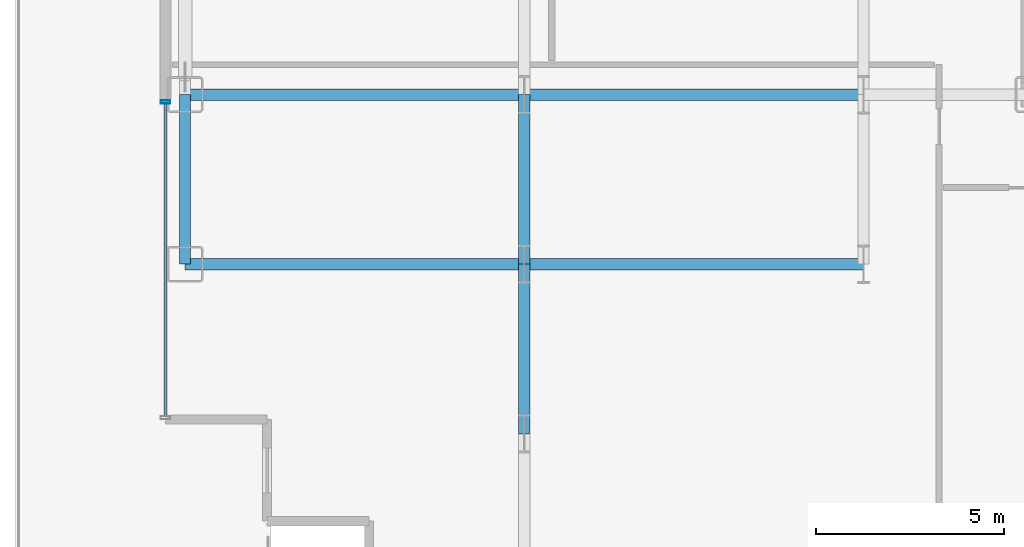
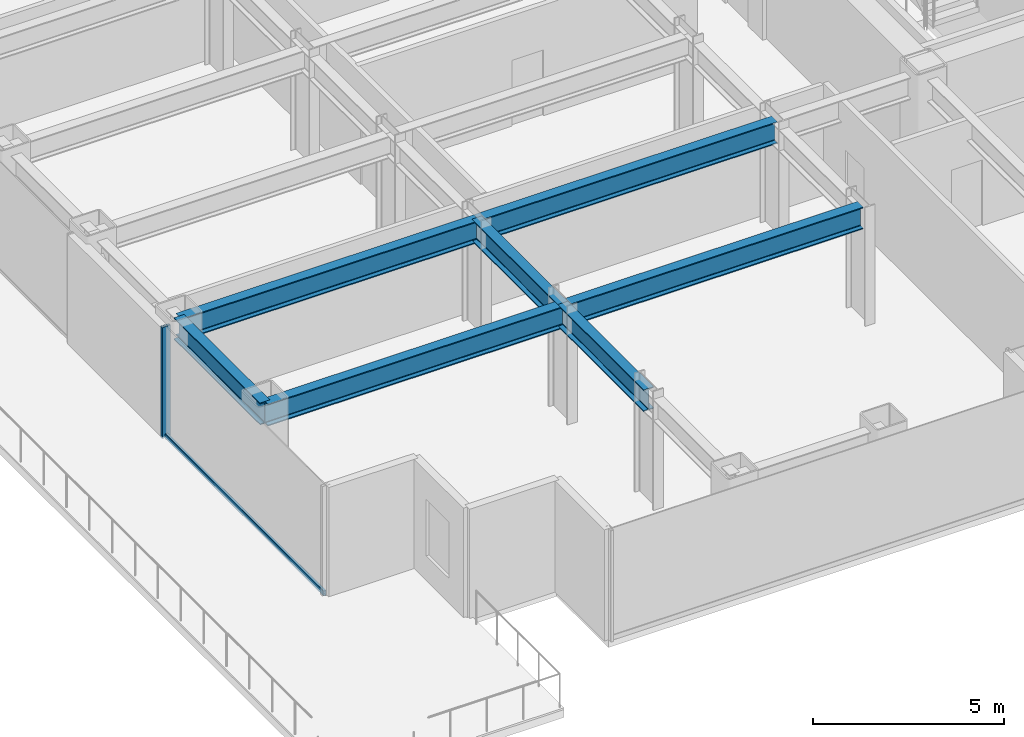
# One storey, part 3 of 30: 7 beams, 2 members, 1 element without a shape of its own.
"""IFC4 building model written with IfcOpenShell, lengths in metres."""

from ifc_helpers import new_model, si_unit, direction, frame, origin, origin_2d, place, context, subcontext, project, spatial, hollow_rectangle, i_section, extrude, source, transform, mapped, material, layer, layer_set, material_profile, profile_set, type_object, element, aggregate, save


model = new_model("IFC4")

# Units and contexts
model_context = context("Model", 3, precision=1e-05, world=origin(), true_north=direction((0.0, 1.0)))
body_context = subcontext(model_context, "Body", "Model", "MODEL_VIEW")
ifc_project = project(units=[si_unit("LENGTHUNIT", "METRE"), si_unit("AREAUNIT", "SQUARE_METRE"), si_unit("VOLUMEUNIT", "CUBIC_METRE"), si_unit("PLANEANGLEUNIT", "RADIAN"), si_unit("MASSUNIT", "GRAM", prefix="KILO")], contexts=[model_context])

# Site, building, storey
site_placement = place(None, origin())
site = spatial("IfcSite", under=ifc_project, at=site_placement, CompositionType="ELEMENT")
building_placement = place(site_placement, origin())
building = spatial("IfcBuilding", under=site, at=building_placement, Name="Nefas-Gora Pilgrimage Tower", CompositionType="ELEMENT")
storey_placement = place(building_placement, frame((0.0, 0.0, 33.0)))
storey = spatial("IfcBuildingStorey", under=building, at=storey_placement, Name="L06", CompositionType="ELEMENT", Elevation=33.0)

# Beams
ifc_material_1 = material(Name="Steel S355", Category="steel")
ifc_material_profile_1 = material_profile(ifc_material_1, i_section(OverallWidth=0.300048828125, OverallDepth=0.699951171875, WebThickness=0.01708984375, FlangeThickness=0.031982421875, FilletRadius=0.027099609375, at=origin_2d()), Name="HEB 700")
ifc_profile_set_1 = profile_set([ifc_material_profile_1], Name="Steel S355")
beam_type_1 = type_object("IfcBeamType", Name="BM-SPN-HEB600", PredefinedType="SPANDREL", material=ifc_profile_set_1)
shared_shape_1 = source(origin(), body_context, "Body", "SweptSolid", [
    extrude(i_section(OverallWidth=0.300048828125, OverallDepth=0.699951171875, WebThickness=0.01708984375, FlangeThickness=0.031982421875, FilletRadius=0.027099609375, at=origin_2d()), origin(), (0.0, 0.0, 1.0), 4.5),
])
beam_placement = place(storey_placement, frame((-33.75, -13.5, 3.199951171875), z_axis=(0.0, 1.0, 0.0), x_axis=(-1.0, 0.0, 0.0)))
element("IfcBeam", 1, at=beam_placement, inside=storey, type_object=beam_type_1, Name="L06 SP-01 beam", PredefinedType="SPANDREL", context=body_context, shape_type="MappedRepresentation", body=[
    mapped(shared_shape_1, transform((0.0, 0.0, 0.0), x_axis=(1.0, 0.0, 0.0), y_axis=(0.0, 1.0, 0.0), z_axis=(0.0, 0.0, 1.0), scale=1.0)),
])
ifc_material_profile_2 = material_profile(ifc_material_1, i_section(OverallWidth=0.300048828125, OverallDepth=0.699951171875, WebThickness=0.01708984375, FlangeThickness=0.031982421875, FilletRadius=0.027099609375, at=origin_2d()), Name="HEB 700")
ifc_profile_set_2 = profile_set([ifc_material_profile_2], Name="Steel S355")
beam_type_2 = type_object("IfcBeamType", Name="BM-GIR-HEB700", PredefinedType="BEAM", material=ifc_profile_set_2)
shared_shape_2 = source(origin(), body_context, "Body", "SweptSolid", [
    extrude(i_section(OverallWidth=0.300048828125, OverallDepth=0.699951171875, WebThickness=0.01708984375, FlangeThickness=0.031982421875, FilletRadius=0.027099609375, at=origin_2d()), origin(), (0.0, 0.0, 1.0), 9.0),
])
for number, where, z_axis, x_axis, name in (
    (2, (-33.75, -13.5, 3.199951171875), (1.0, 0.0, 0.0), (0.0, 1.0, 0.0), "L06 G-02 beam"),
    (3, (-33.75, -9.0, 3.199951171875), (1.0, 0.0, 0.0), (0.0, 1.0, 0.0), "L06 G-02 beam"),
    (4, (-24.75, -13.5, 3.199951171875), (1.0, 0.0, 0.0), (0.0, 1.0, 0.0), "L06 G-02 beam"),
    (5, (-24.75, -9.0, 3.199951171875), (1.0, 0.0, 0.0), (0.0, 1.0, 0.0), "L06 G-02 beam"),
):
    element("IfcBeam", number, at=place(storey_placement, frame(where, z_axis=z_axis, x_axis=x_axis)), inside=storey, type_object=beam_type_2, Name=name, PredefinedType="BEAM", context=body_context, shape_type="MappedRepresentation", body=[
        mapped(shared_shape_2, transform((0.0, 0.0, 0.0), x_axis=(1.0, 0.0, 0.0), y_axis=(0.0, 1.0, 0.0), z_axis=(0.0, 0.0, 1.0), scale=1.0)),
    ])
shared_shape_3 = source(origin(), body_context, "Body", "SweptSolid", [
    extrude(i_section(OverallWidth=0.300048828125, OverallDepth=0.699951171875, WebThickness=0.01708984375, FlangeThickness=0.031982421875, FilletRadius=0.027099609375, at=origin_2d()), origin(), (0.0, 0.0, 1.0), 4.5),
])
for number, where, z_axis, x_axis, name in (
    (6, (-24.75, -18.0, 3.199951171875), (0.0, 1.0, 0.0), (-1.0, 0.0, 0.0), "L06 G-02 beam"),
    (7, (-24.75, -13.5, 3.199951171875), (0.0, 1.0, 0.0), (-1.0, 0.0, 0.0), "L06 G-02 beam"),
):
    element("IfcBeam", number, at=place(storey_placement, frame(where, z_axis=z_axis, x_axis=x_axis)), inside=storey, type_object=beam_type_2, Name=name, PredefinedType="BEAM", context=body_context, shape_type="MappedRepresentation", body=[
        mapped(shared_shape_3, transform((0.0, 0.0, 0.0), x_axis=(1.0, 0.0, 0.0), y_axis=(0.0, 1.0, 0.0), z_axis=(0.0, 0.0, 1.0), scale=1.0)),
    ])

# Curtain wall, members
ifc_material_2 = material(Name="Dark ceramic-fritted solar-control aluminium-glass curtain wall", Category="aluminium")
ifc_layer = layer(ifc_material_2, 0.219970703125)
ifc_layer_set = layer_set([ifc_layer], Name="Dark ceramic-fritted solar-control aluminium-glass curtain wall")
curtain_wall_type = type_object("IfcCurtainWallType", Name="CW-SYS-2", PredefinedType="NOTDEFINED", material=ifc_layer_set)
curtain_wall_placement = place(storey_placement, origin())
curtain_wall = element("IfcCurtainWall", 8, at=curtain_wall_placement, inside=storey, type_object=curtain_wall_type, Name="L06 Unitised Curtain Wall CW2", PredefinedType="NOTDEFINED")
ifc_material_3 = material(Name="Anodised architectural aluminium", Category="aluminium")
ifc_material_profile_3 = material_profile(ifc_material_3, hollow_rectangle(XDim=0.090087890625, YDim=0.260009765625, WallThickness=0.006103515625, InnerFilletRadius=0.006103515625, OuterFilletRadius=0.011962890625, at=origin_2d()), Name="ALU MULLION 90x260")
ifc_profile_set_3 = profile_set([ifc_material_profile_3], Name="Anodised architectural aluminium")
member_type_1 = type_object("IfcMemberType", Name="CWM-MUL-2", PredefinedType="MULLION", material=ifc_profile_set_3)
shared_shape_4 = source(origin(), body_context, "Body", "SweptSolid", [
    extrude(hollow_rectangle(XDim=0.090087890625, YDim=0.260009765625, WallThickness=0.006103515625, InnerFilletRadius=0.006103515625, OuterFilletRadius=0.011962890625, at=origin_2d()), origin(), (0.0, 0.0, 1.0), 3.550048828125),
])
member_1_placement = place(storey_placement, frame((-34.27001953125, -9.195068359375, 0.0), z_axis=(0.0, 0.0, 1.0), x_axis=(0.0, -1.0, 0.0)))
member_1 = element("IfcMember", 9, at=member_1_placement, type_object=member_type_1, Name="CW2 Mullion 1", PredefinedType="MULLION", context=body_context, shape_type="MappedRepresentation", body=[
    mapped(shared_shape_4, transform((0.0, 0.0, 0.0), x_axis=(1.0, 0.0, 0.0), y_axis=(0.0, 1.0, 0.0), z_axis=(0.0, 0.0, 1.0), scale=1.0)),
])
ifc_material_profile_4 = material_profile(ifc_material_3, hollow_rectangle(XDim=0.080078125, YDim=0.159912109375, WallThickness=0.00439453125, InnerFilletRadius=0.00439453125, OuterFilletRadius=0.009033203125, at=origin_2d()), Name="ALU TRANSOM 80x160")
ifc_profile_set_4 = profile_set([ifc_material_profile_4], Name="Anodised architectural aluminium")
member_type_2 = type_object("IfcMemberType", Name="CWM-TRN-2", PredefinedType="USERDEFINED", material=ifc_profile_set_4)
shared_shape_5 = source(origin(), body_context, "Body", "SweptSolid", [
    extrude(hollow_rectangle(XDim=0.080078125, YDim=0.159912109375, WallThickness=0.00439453125, InnerFilletRadius=0.00439453125, OuterFilletRadius=0.009033203125, at=origin_2d()), origin(), (0.0, 0.0, 1.0), 8.2900390625),
])
member_2_placement = place(storey_placement, frame((-34.27001953125, -9.239990234375, 0.050048828125), z_axis=(0.0, -1.0, 0.0), x_axis=(1.0, 0.0, 0.0)))
member_2 = element("IfcMember", 10, at=member_2_placement, type_object=member_type_2, Name="CW2 Spandrel Transom", ObjectType="TRANSOM", PredefinedType="USERDEFINED", context=body_context, shape_type="MappedRepresentation", body=[
    mapped(shared_shape_5, transform((0.0, 0.0, 0.0), x_axis=(1.0, 0.0, 0.0), y_axis=(0.0, 1.0, 0.0), z_axis=(0.0, 0.0, 1.0), scale=1.0)),
])
aggregate(curtain_wall, [member_1, member_2])

save(model, "model.ifc")
